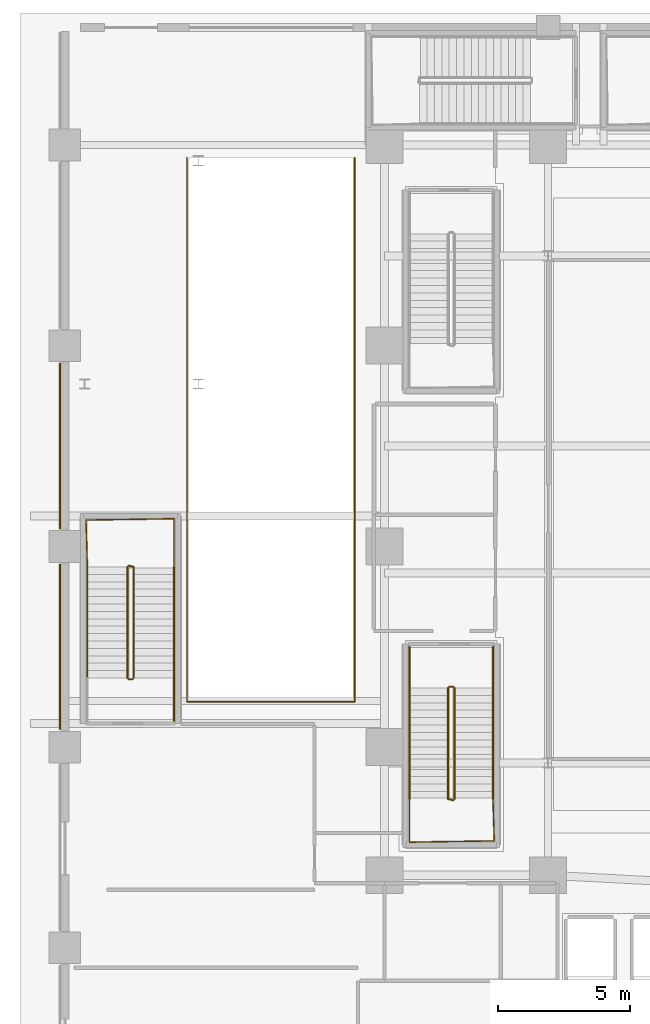
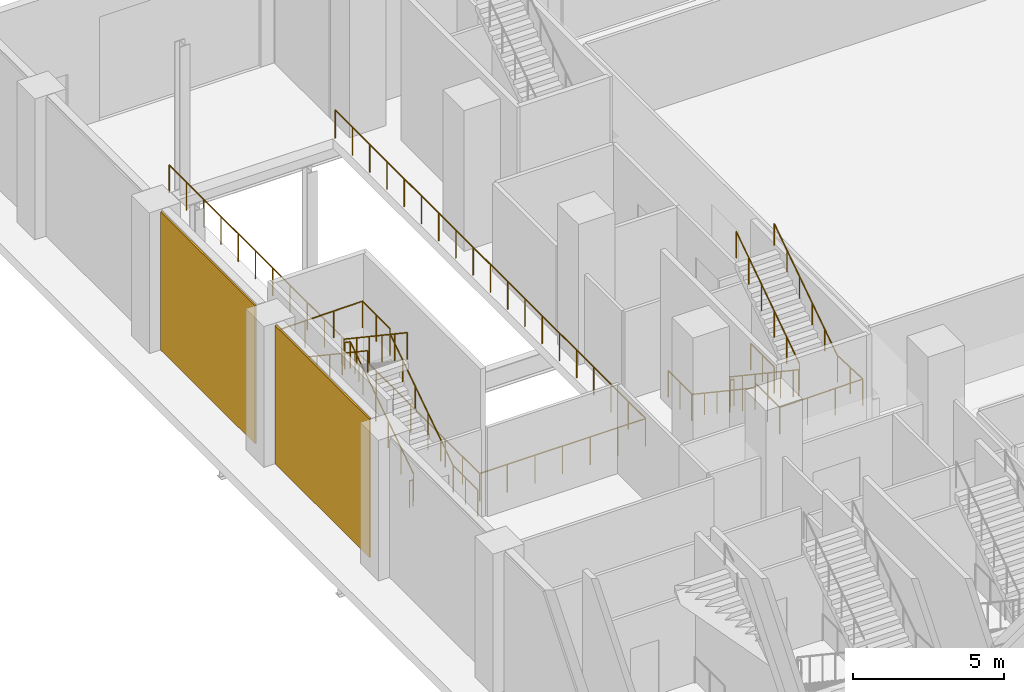
# One storey, part 28 of 36: 16 railings, 2 coverings.
"""IFC4 building model written with IfcOpenShell, lengths in metres."""

from ifc_helpers import new_model, si_unit, direction, frame, origin, origin_2d, place, context, subcontext, project, spatial, rectangle, circle, extrude, material, layer, layer_set, type_object, element, save


model = new_model("IFC4")

# Units and contexts
model_context = context("Model", 3, precision=1e-05, world=origin(), true_north=direction((0.0, 1.0)))
body_context = subcontext(model_context, "Body", "Model", "MODEL_VIEW")
ifc_project = project(units=[si_unit("LENGTHUNIT", "METRE"), si_unit("AREAUNIT", "SQUARE_METRE"), si_unit("VOLUMEUNIT", "CUBIC_METRE"), si_unit("PLANEANGLEUNIT", "RADIAN"), si_unit("MASSUNIT", "GRAM", prefix="KILO")], contexts=[model_context])

# Site, building, storey
site_placement = place(None, origin())
site = spatial("IfcSite", under=ifc_project, at=site_placement, CompositionType="ELEMENT")
building_placement = place(site_placement, origin())
building = spatial("IfcBuilding", under=site, at=building_placement, Name="Ndaravel Arena Tower", CompositionType="ELEMENT")
storey_placement = place(building_placement, origin())
storey = spatial("IfcBuildingStorey", under=building, at=storey_placement, Name="L00", CompositionType="ELEMENT", Elevation=0.0)

# Coverings
ifc_material_1 = material(Name="Masonry", Category="masonry")
ifc_layer_1 = layer(ifc_material_1, 0.06005859375)
ifc_layer_set_1 = layer_set([ifc_layer_1], Name="Masonry")
covering_type = type_object("IfcCoveringType", Name="COV-STONE-CLAD", PredefinedType="CLADDING", material=ifc_layer_set_1)
for number, where, z_axis, x_axis, name in (
    (1, (1.52001953125, 24.0, 0.050048828125), (0.0, 0.0, 1.0), (1.0, 0.0, 0.0), "L00 Honed Mazeras Ashlar Panel W4"),
    (2, (1.52001953125, 31.60009765625, 0.050048828125), (0.0, 0.0, 1.0), (1.0, 0.0, 0.0), "L00 Honed Mazeras Ashlar Panel W5"),
):
    element("IfcCovering", number, at=place(storey_placement, frame(where, z_axis=z_axis, x_axis=x_axis)), inside=storey, type_object=covering_type, Name=name, PredefinedType="CLADDING", context=body_context, shape_type="SweptSolid", body=[
        extrude(rectangle(XDim=0.06005859375, YDim=6.260009765625, at=origin_2d()), origin(), (0.0, 0.0, 1.0), 5.60009765625),
    ])

# Railings
ifc_material_2 = material(Name="Steel S355", Category="steel")
ifc_layer_2 = layer(ifc_material_2, 0.06005859375)
ifc_layer_set_2 = layer_set([ifc_layer_2], Name="Steel S355")
railing_type_1 = type_object("IfcRailingType", Name="RAIL-STAIR-GD1100", PredefinedType="GUARDRAIL", material=ifc_layer_set_2)
railing_1_placement = place(storey_placement, frame((4.31005859375, 22.820068359375, 0.1875)))
element("IfcRailing", 3, at=railing_1_placement, inside=storey, type_object=railing_type_1, Name="L00 ST-A07 stair guard 1", PredefinedType="GUARDRAIL", context=body_context, shape_type="SweptSolid", body=[
    extrude(circle(Radius=0.02392578125, at=origin_2d()), frame((0.0, 0.0, 1.076171875), z_axis=(0.0, 0.830904186295, 0.556415522067), x_axis=(-1.0, 0.0, 0.0)), (0.0, 0.0, 1.0), 5.0546875),
    extrude(circle(Radius=0.02392578125, at=origin_2d()), frame((0.0, 4.199951171875, 3.888671875), z_axis=(-0.966993988697, 0.254799187253, 0.0), x_axis=(-0.254799187253, -0.966993988697, 0.0)), (0.0, 0.0, 1.0), 0.196533203125),
    extrude(circle(Radius=0.02099609375, at=origin_2d()), origin(), (0.0, 0.0, 1.0), 1.052001953125),
    extrude(circle(Radius=0.02099609375, at=origin_2d()), frame((0.0, 0.840087890625, 0.5625)), (0.0, 0.0, 1.0), 1.052001953125),
    extrude(circle(Radius=0.02099609375, at=origin_2d()), frame((0.0, 1.679931640625, 1.125)), (0.0, 0.0, 1.0), 1.052001953125),
    extrude(circle(Radius=0.02099609375, at=origin_2d()), frame((0.0, 2.52001953125, 1.6875)), (0.0, 0.0, 1.0), 1.052001953125),
    extrude(circle(Radius=0.02099609375, at=origin_2d()), frame((0.0, 3.35986328125, 2.25)), (0.0, 0.0, 1.0), 1.052001953125),
    extrude(circle(Radius=0.02099609375, at=origin_2d()), frame((0.0, 4.199951171875, 2.8125)), (0.0, 0.0, 1.0), 1.052001953125),
    extrude(circle(Radius=0.02099609375, at=origin_2d()), frame((-0.18994140625, 4.25, 2.8125)), (0.0, 0.0, 1.0), 1.052001953125),
])
railing_2_placement = place(storey_placement, frame((5.830078125, 27.02001953125, 3.0)))
element("IfcRailing", 4, at=railing_2_placement, inside=storey, type_object=railing_type_1, Name="L00 ST-A07 stair guard 2", PredefinedType="GUARDRAIL", context=body_context, shape_type="SweptSolid", body=[
    extrude(circle(Radius=0.02392578125, at=origin_2d()), frame((0.0, 0.0, 1.076171875), z_axis=(0.0, 1.0, 0.0), x_axis=(-1.0, 0.0, 0.0)), (0.0, 0.0, 1.0), 1.830078125),
    extrude(circle(Radius=0.02392578125, at=origin_2d()), frame((0.0, 1.830078125, 1.076171875), z_axis=(-0.999887078817, -0.015027628384, 0.0), x_axis=(0.015027628384, -0.999887078817, 0.0)), (0.0, 0.0, 1.0), 3.33056640625),
    extrude(circle(Radius=0.02392578125, at=origin_2d()), frame((-3.330078125, 1.780029296875, 1.076171875), z_axis=(0.028105748986, -0.999604955407, 0.0), x_axis=(0.999604955407, 0.028105748986, 0.0)), (0.0, 0.0, 1.0), 1.78076171875),
    extrude(circle(Radius=0.02099609375, at=origin_2d()), origin(), (0.0, 0.0, 1.0), 1.052001953125),
    extrude(circle(Radius=0.02099609375, at=origin_2d()), frame((0.0, 0.9150390625, 0.0)), (0.0, 0.0, 1.0), 1.052001953125),
    extrude(circle(Radius=0.02099609375, at=origin_2d()), frame((0.0, 1.830078125, 0.0)), (0.0, 0.0, 1.0), 1.052001953125),
    extrude(circle(Radius=0.02099609375, at=origin_2d()), frame((-1.110107421875, 1.8134765625, 0.0)), (0.0, 0.0, 1.0), 1.052001953125),
    extrude(circle(Radius=0.02099609375, at=origin_2d()), frame((-2.219970703125, 1.796630859375, 0.0)), (0.0, 0.0, 1.0), 1.052001953125),
    extrude(circle(Radius=0.02099609375, at=origin_2d()), frame((-3.330078125, 1.780029296875, 0.0)), (0.0, 0.0, 1.0), 1.052001953125),
    extrude(circle(Radius=0.02099609375, at=origin_2d()), frame((-3.30517578125, 0.89013671875, 0.0)), (0.0, 0.0, 1.0), 1.052001953125),
    extrude(circle(Radius=0.02099609375, at=origin_2d()), frame((-3.280029296875, 0.0, 0.0)), (0.0, 0.0, 1.0), 1.052001953125),
])
railing_3_placement = place(storey_placement, frame((4.070068359375, 27.02001953125, 3.1875)))
element("IfcRailing", 5, at=railing_3_placement, inside=storey, type_object=railing_type_1, Name="L00 ST-A07 stair guard 3", PredefinedType="GUARDRAIL", context=body_context, shape_type="SweptSolid", body=[
    extrude(circle(Radius=0.02392578125, at=origin_2d()), frame((0.0, 0.0, 1.076171875), z_axis=(0.0, -0.830904186295, 0.556415522067), x_axis=(1.0, 0.0, 0.0)), (0.0, 0.0, 1.0), 5.0546875),
    extrude(circle(Radius=0.02099609375, at=origin_2d()), origin(), (0.0, 0.0, 1.0), 1.052001953125),
    extrude(circle(Radius=0.02099609375, at=origin_2d()), frame((0.0, -0.840087890625, 0.5625)), (0.0, 0.0, 1.0), 1.052001953125),
    extrude(circle(Radius=0.02099609375, at=origin_2d()), frame((0.0, -1.679931640625, 1.125)), (0.0, 0.0, 1.0), 1.052001953125),
    extrude(circle(Radius=0.02099609375, at=origin_2d()), frame((0.0, -2.52001953125, 1.6875)), (0.0, 0.0, 1.0), 1.052001953125),
    extrude(circle(Radius=0.02099609375, at=origin_2d()), frame((0.0, -3.35986328125, 2.25)), (0.0, 0.0, 1.0), 1.052001953125),
    extrude(circle(Radius=0.02099609375, at=origin_2d()), frame((0.0, -4.199951171875, 2.8125)), (0.0, 0.0, 1.0), 1.052001953125),
])
railing_4_placement = place(storey_placement, frame((4.260009765625, 22.77001953125, 0.0)))
element("IfcRailing", 6, at=railing_4_placement, inside=storey, type_object=railing_type_1, Name="L00 ST-A07 stair guard 4", PredefinedType="GUARDRAIL", context=body_context, shape_type="SweptSolid", body=[
    extrude(circle(Radius=0.02392578125, at=origin_2d()), frame((0.0, 0.0, 1.076171875), z_axis=(-1.0, 0.0, 0.0), x_axis=(0.0, -1.0, 0.0)), (0.0, 0.0, 1.0), 0.139892578125),
    extrude(circle(Radius=0.02099609375, at=origin_2d()), origin(), (0.0, 0.0, 1.0), 1.052001953125),
    extrude(circle(Radius=0.02099609375, at=origin_2d()), frame((-0.139892578125, 0.0, 0.0)), (0.0, 0.0, 1.0), 1.052001953125),
])
railing_5_placement = place(storey_placement, frame((5.830078125, 21.199951171875, 0.0)))
element("IfcRailing", 7, at=railing_5_placement, inside=storey, type_object=railing_type_1, Name="L00 ST-A07 stair guard 5", PredefinedType="GUARDRAIL", context=body_context, shape_type="SweptSolid", body=[
    extrude(circle(Radius=0.02392578125, at=origin_2d()), frame((0.0, 0.0, 1.076171875), z_axis=(0.0, 1.0, 0.0), x_axis=(-1.0, 0.0, 0.0)), (0.0, 0.0, 1.0), 1.6201171875),
    extrude(circle(Radius=0.02099609375, at=origin_2d()), origin(), (0.0, 0.0, 1.0), 1.052001953125),
    extrude(circle(Radius=0.02099609375, at=origin_2d()), frame((0.0, 0.81005859375, 0.0)), (0.0, 0.0, 1.0), 1.052001953125),
    extrude(circle(Radius=0.02099609375, at=origin_2d()), frame((0.0, 1.6201171875, 0.0)), (0.0, 0.0, 1.0), 1.052001953125),
])
railing_6_placement = place(storey_placement, frame((16.2099609375, 22.43994140625, 0.1875)))
element("IfcRailing", 8, at=railing_6_placement, inside=storey, type_object=railing_type_1, Name="L00 ST-VOM-1 stair guard 1", PredefinedType="GUARDRAIL", context=body_context, shape_type="SweptSolid", body=[
    extrude(circle(Radius=0.02392578125, at=origin_2d()), frame((0.0, 0.0, 1.076171875), z_axis=(0.0, -0.830904186295, 0.556415522067), x_axis=(1.0, 0.0, 0.0)), (0.0, 0.0, 1.0), 5.0546875),
    extrude(circle(Radius=0.02392578125, at=origin_2d()), frame((0.0, -4.199951171875, 3.888671875), z_axis=(0.966993988697, -0.254799187253, 0.0), x_axis=(0.254799187253, 0.966993988697, 0.0)), (0.0, 0.0, 1.0), 0.196533203125),
    extrude(circle(Radius=0.02099609375, at=origin_2d()), origin(), (0.0, 0.0, 1.0), 1.052001953125),
    extrude(circle(Radius=0.02099609375, at=origin_2d()), frame((0.0, -0.840087890625, 0.5625)), (0.0, 0.0, 1.0), 1.052001953125),
    extrude(circle(Radius=0.02099609375, at=origin_2d()), frame((0.0, -1.679931640625, 1.125)), (0.0, 0.0, 1.0), 1.052001953125),
    extrude(circle(Radius=0.02099609375, at=origin_2d()), frame((0.0, -2.52001953125, 1.6875)), (0.0, 0.0, 1.0), 1.052001953125),
    extrude(circle(Radius=0.02099609375, at=origin_2d()), frame((0.0, -3.35986328125, 2.25)), (0.0, 0.0, 1.0), 1.052001953125),
    extrude(circle(Radius=0.02099609375, at=origin_2d()), frame((0.0, -4.199951171875, 2.8125)), (0.0, 0.0, 1.0), 1.052001953125),
    extrude(circle(Radius=0.02099609375, at=origin_2d()), frame((0.18994140625, -4.25, 2.8125)), (0.0, 0.0, 1.0), 1.052001953125),
])
railing_7_placement = place(storey_placement, frame((14.75, 18.239990234375, 3.0)))
element("IfcRailing", 9, at=railing_7_placement, inside=storey, type_object=railing_type_1, Name="L00 ST-VOM-1 stair guard 2", PredefinedType="GUARDRAIL", context=body_context, shape_type="SweptSolid", body=[
    extrude(circle(Radius=0.02392578125, at=origin_2d()), frame((0.0, 0.0, 1.076171875), z_axis=(0.0, -1.0, 0.0), x_axis=(1.0, 0.0, 0.0)), (0.0, 0.0, 1.0), 1.639892578125),
    extrude(circle(Radius=0.02392578125, at=origin_2d()), frame((0.0, -1.639892578125, 1.076171875), z_axis=(0.999879653755, 0.01551380053, 0.0), x_axis=(-0.01551380053, 0.999879653755, 0.0)), (0.0, 0.0, 1.0), 3.21044921875),
    extrude(circle(Radius=0.02392578125, at=origin_2d()), frame((3.2099609375, -1.590087890625, 1.076171875), z_axis=(-0.031459930577, 0.999505013878, 0.0), x_axis=(-0.999505013878, -0.031459930577, 0.0)), (0.0, 0.0, 1.0), 1.5908203125),
    extrude(circle(Radius=0.02099609375, at=origin_2d()), origin(), (0.0, 0.0, 1.0), 1.052001953125),
    extrude(circle(Radius=0.02099609375, at=origin_2d()), frame((0.0, -0.81982421875, 0.0)), (0.0, 0.0, 1.0), 1.052001953125),
    extrude(circle(Radius=0.02099609375, at=origin_2d()), frame((0.0, -1.639892578125, 0.0)), (0.0, 0.0, 1.0), 1.052001953125),
    extrude(circle(Radius=0.02099609375, at=origin_2d()), frame((1.070068359375, -1.623291015625, 0.0)), (0.0, 0.0, 1.0), 1.052001953125),
    extrude(circle(Radius=0.02099609375, at=origin_2d()), frame((2.139892578125, -1.606689453125, 0.0)), (0.0, 0.0, 1.0), 1.052001953125),
    extrude(circle(Radius=0.02099609375, at=origin_2d()), frame((3.2099609375, -1.590087890625, 0.0)), (0.0, 0.0, 1.0), 1.052001953125),
    extrude(circle(Radius=0.02099609375, at=origin_2d()), frame((3.18505859375, -0.794921875, 0.0)), (0.0, 0.0, 1.0), 1.052001953125),
    extrude(circle(Radius=0.02099609375, at=origin_2d()), frame((3.159912109375, 0.0, 0.0)), (0.0, 0.0, 1.0), 1.052001953125),
])
railing_8_placement = place(storey_placement, frame((16.449951171875, 18.239990234375, 3.1875)))
element("IfcRailing", 10, at=railing_8_placement, inside=storey, type_object=railing_type_1, Name="L00 ST-VOM-1 stair guard 3", PredefinedType="GUARDRAIL", context=body_context, shape_type="SweptSolid", body=[
    extrude(circle(Radius=0.02392578125, at=origin_2d()), frame((0.0, 0.0, 1.076171875), z_axis=(0.0, 0.830904186295, 0.556415522067), x_axis=(-1.0, 0.0, 0.0)), (0.0, 0.0, 1.0), 5.0546875),
    extrude(circle(Radius=0.02099609375, at=origin_2d()), origin(), (0.0, 0.0, 1.0), 1.052001953125),
    extrude(circle(Radius=0.02099609375, at=origin_2d()), frame((0.0, 0.840087890625, 0.5625)), (0.0, 0.0, 1.0), 1.052001953125),
    extrude(circle(Radius=0.02099609375, at=origin_2d()), frame((0.0, 1.679931640625, 1.125)), (0.0, 0.0, 1.0), 1.052001953125),
    extrude(circle(Radius=0.02099609375, at=origin_2d()), frame((0.0, 2.52001953125, 1.6875)), (0.0, 0.0, 1.0), 1.052001953125),
    extrude(circle(Radius=0.02099609375, at=origin_2d()), frame((0.0, 3.35986328125, 2.25)), (0.0, 0.0, 1.0), 1.052001953125),
    extrude(circle(Radius=0.02099609375, at=origin_2d()), frame((0.0, 4.199951171875, 2.8125)), (0.0, 0.0, 1.0), 1.052001953125),
])
railing_9_placement = place(storey_placement, frame((16.260009765625, 22.489990234375, 0.0)))
element("IfcRailing", 11, at=railing_9_placement, inside=storey, type_object=railing_type_1, Name="L00 ST-VOM-1 stair guard 4", PredefinedType="GUARDRAIL", context=body_context, shape_type="SweptSolid", body=[
    extrude(circle(Radius=0.02392578125, at=origin_2d()), frame((0.0, 0.0, 1.076171875), z_axis=(1.0, 0.0, 0.0), x_axis=(0.0, 1.0, 0.0)), (0.0, 0.0, 1.0), 0.139892578125),
    extrude(circle(Radius=0.02099609375, at=origin_2d()), origin(), (0.0, 0.0, 1.0), 1.052001953125),
    extrude(circle(Radius=0.02099609375, at=origin_2d()), frame((0.139892578125, 0.0, 0.0)), (0.0, 0.0, 1.0), 1.052001953125),
])
for number, where, name in (
    (12, (14.75, 24.0, 0.0), "L00 ST-VOM-1 stair guard 5"),
    (13, (17.909912109375, 24.0, 0.0), "L00 ST-VOM-1 stair guard 6"),
):
    element("IfcRailing", number, at=place(storey_placement, frame(where)), inside=storey, type_object=railing_type_1, Name=name, PredefinedType="GUARDRAIL", context=body_context, shape_type="SweptSolid", body=[
        extrude(circle(Radius=0.02392578125, at=origin_2d()), frame((0.0, 0.0, 1.076171875), z_axis=(0.0, -1.0, 0.0), x_axis=(1.0, 0.0, 0.0)), (0.0, 0.0, 1.0), 1.56005859375),
        extrude(circle(Radius=0.02099609375, at=origin_2d()), origin(), (0.0, 0.0, 1.0), 1.052001953125),
        extrude(circle(Radius=0.02099609375, at=origin_2d()), frame((0.0, -0.780029296875, 0.0)), (0.0, 0.0, 1.0), 1.052001953125),
        extrude(circle(Radius=0.02099609375, at=origin_2d()), frame((0.0, -1.56005859375, 0.0)), (0.0, 0.0, 1.0), 1.052001953125),
    ])
ifc_material_3 = material(Name="Steel S355", Category="steel")
ifc_layer_3 = layer(ifc_material_3, 0.050048828125)
ifc_layer_set_3 = layer_set([ifc_layer_3], Name="Steel S355")
railing_type_2 = type_object("IfcRailingType", Name="RAIL-STAIR-HR920", PredefinedType="HANDRAIL", material=ifc_layer_set_3)
railing_10_placement = place(storey_placement, frame((5.830078125, 22.820068359375, 0.1875)))
element("IfcRailing", 14, at=railing_10_placement, inside=storey, type_object=railing_type_2, Name="L00 ST-A07 stair handrail 1", PredefinedType="HANDRAIL", context=body_context, shape_type="SweptSolid", body=[
    extrude(circle(Radius=0.02392578125, at=origin_2d()), frame((0.0, 0.0, 0.8759765625), z_axis=(0.0, 0.830904186295, 0.556415522067), x_axis=(-1.0, 0.0, 0.0)), (0.0, 0.0, 1.0), 5.0546875),
    extrude(circle(Radius=0.02099609375, at=origin_2d()), origin(), (0.0, 0.0, 1.0), 0.851806640625),
    extrude(circle(Radius=0.02099609375, at=origin_2d()), frame((0.0, 0.840087890625, 0.5625)), (0.0, 0.0, 1.0), 0.851806640625),
    extrude(circle(Radius=0.02099609375, at=origin_2d()), frame((0.0, 1.679931640625, 1.125)), (0.0, 0.0, 1.0), 0.851806640625),
    extrude(circle(Radius=0.02099609375, at=origin_2d()), frame((0.0, 2.52001953125, 1.6875)), (0.0, 0.0, 1.0), 0.851806640625),
    extrude(circle(Radius=0.02099609375, at=origin_2d()), frame((0.0, 3.35986328125, 2.25)), (0.0, 0.0, 1.0), 0.851806640625),
    extrude(circle(Radius=0.02099609375, at=origin_2d()), frame((0.0, 4.199951171875, 2.8125)), (0.0, 0.0, 1.0), 0.851806640625),
])
for number, where, name in (
    (15, (2.550048828125, 27.02001953125, 3.1875), "L00 ST-A07 stair handrail 2"),
    (16, (14.75, 22.43994140625, 0.1875), "L00 ST-VOM-1 stair handrail 1"),
):
    element("IfcRailing", number, at=place(storey_placement, frame(where)), inside=storey, type_object=railing_type_2, Name=name, PredefinedType="HANDRAIL", context=body_context, shape_type="SweptSolid", body=[
        extrude(circle(Radius=0.02392578125, at=origin_2d()), frame((0.0, 0.0, 0.8759765625), z_axis=(0.0, -0.830904186295, 0.556415522067), x_axis=(1.0, 0.0, 0.0)), (0.0, 0.0, 1.0), 5.0546875),
        extrude(circle(Radius=0.02099609375, at=origin_2d()), origin(), (0.0, 0.0, 1.0), 0.851806640625),
        extrude(circle(Radius=0.02099609375, at=origin_2d()), frame((0.0, -0.840087890625, 0.5625)), (0.0, 0.0, 1.0), 0.851806640625),
        extrude(circle(Radius=0.02099609375, at=origin_2d()), frame((0.0, -1.679931640625, 1.125)), (0.0, 0.0, 1.0), 0.851806640625),
        extrude(circle(Radius=0.02099609375, at=origin_2d()), frame((0.0, -2.52001953125, 1.6875)), (0.0, 0.0, 1.0), 0.851806640625),
        extrude(circle(Radius=0.02099609375, at=origin_2d()), frame((0.0, -3.35986328125, 2.25)), (0.0, 0.0, 1.0), 0.851806640625),
        extrude(circle(Radius=0.02099609375, at=origin_2d()), frame((0.0, -4.199951171875, 2.8125)), (0.0, 0.0, 1.0), 0.851806640625),
    ])
railing_11_placement = place(storey_placement, frame((17.909912109375, 18.239990234375, 3.1875)))
element("IfcRailing", 17, at=railing_11_placement, inside=storey, type_object=railing_type_2, Name="L00 ST-VOM-1 stair handrail 2", PredefinedType="HANDRAIL", context=body_context, shape_type="SweptSolid", body=[
    extrude(circle(Radius=0.02392578125, at=origin_2d()), frame((0.0, 0.0, 0.8759765625), z_axis=(0.0, 0.830904186295, 0.556415522067), x_axis=(-1.0, 0.0, 0.0)), (0.0, 0.0, 1.0), 5.0546875),
    extrude(circle(Radius=0.02099609375, at=origin_2d()), origin(), (0.0, 0.0, 1.0), 0.851806640625),
    extrude(circle(Radius=0.02099609375, at=origin_2d()), frame((0.0, 0.840087890625, 0.5625)), (0.0, 0.0, 1.0), 0.851806640625),
    extrude(circle(Radius=0.02099609375, at=origin_2d()), frame((0.0, 1.679931640625, 1.125)), (0.0, 0.0, 1.0), 0.851806640625),
    extrude(circle(Radius=0.02099609375, at=origin_2d()), frame((0.0, 2.52001953125, 1.6875)), (0.0, 0.0, 1.0), 0.851806640625),
    extrude(circle(Radius=0.02099609375, at=origin_2d()), frame((0.0, 3.35986328125, 2.25)), (0.0, 0.0, 1.0), 0.851806640625),
    extrude(circle(Radius=0.02099609375, at=origin_2d()), frame((0.0, 4.199951171875, 2.8125)), (0.0, 0.0, 1.0), 0.851806640625),
])
ifc_material_4 = material(Name="Glazing", Category="glass")
ifc_layer_4 = layer(ifc_material_4, 0.070068359375)
ifc_layer_set_4 = layer_set([ifc_layer_4], Name="Glazing")
railing_type_3 = type_object("IfcRailingType", Name="RAIL-TERRACE-1150", PredefinedType="BALUSTRADE", material=ifc_layer_set_4)
railing_12_placement = place(storey_placement, frame((6.320068359375, 42.52001953125, 0.0)))
element("IfcRailing", 18, at=railing_12_placement, inside=storey, type_object=railing_type_3, Name="L00 Car Ramp Well 3-Sided Guard", PredefinedType="BALUSTRADE", context=body_context, shape_type="SweptSolid", body=[
    extrude(circle(Radius=0.02392578125, at=origin_2d()), frame((0.0, 0.0, 1.1259765625), z_axis=(0.0, -1.0, 0.0), x_axis=(1.0, 0.0, 0.0)), (0.0, 0.0, 1.0), 20.60009765625),
    extrude(circle(Radius=0.02392578125, at=origin_2d()), frame((0.0, -20.60009765625, 1.1259765625), z_axis=(1.0, 0.0, 0.0), x_axis=(0.0, 1.0, 0.0)), (0.0, 0.0, 1.0), 6.35986328125),
    extrude(circle(Radius=0.02392578125, at=origin_2d()), frame((6.35986328125, -20.60009765625, 1.1259765625), z_axis=(0.0, 1.0, 0.0), x_axis=(-1.0, 0.0, 0.0)), (0.0, 0.0, 1.0), 20.60009765625),
    extrude(circle(Radius=0.02099609375, at=origin_2d()), origin(), (0.0, 0.0, 1.0), 1.101806640625),
    extrude(circle(Radius=0.02099609375, at=origin_2d()), frame((0.0, -1.14453125, 0.0)), (0.0, 0.0, 1.0), 1.101806640625),
    extrude(circle(Radius=0.02099609375, at=origin_2d()), frame((0.0, -2.288818359375, 0.0)), (0.0, 0.0, 1.0), 1.101806640625),
    extrude(circle(Radius=0.02099609375, at=origin_2d()), frame((0.0, -3.433349609375, 0.0)), (0.0, 0.0, 1.0), 1.101806640625),
    extrude(circle(Radius=0.02099609375, at=origin_2d()), frame((0.0, -4.577880859375, 0.0)), (0.0, 0.0, 1.0), 1.101806640625),
    extrude(circle(Radius=0.02099609375, at=origin_2d()), frame((0.0, -5.72216796875, 0.0)), (0.0, 0.0, 1.0), 1.101806640625),
    extrude(circle(Radius=0.02099609375, at=origin_2d()), frame((0.0, -6.86669921875, 0.0)), (0.0, 0.0, 1.0), 1.101806640625),
    extrude(circle(Radius=0.02099609375, at=origin_2d()), frame((0.0, -8.01123046875, 0.0)), (0.0, 0.0, 1.0), 1.101806640625),
    extrude(circle(Radius=0.02099609375, at=origin_2d()), frame((0.0, -9.155517578125, 0.0)), (0.0, 0.0, 1.0), 1.101806640625),
    extrude(circle(Radius=0.02099609375, at=origin_2d()), frame((0.0, -10.300048828125, 0.0)), (0.0, 0.0, 1.0), 1.101806640625),
    extrude(circle(Radius=0.02099609375, at=origin_2d()), frame((0.0, -11.444580078125, 0.0)), (0.0, 0.0, 1.0), 1.101806640625),
    extrude(circle(Radius=0.02099609375, at=origin_2d()), frame((0.0, -12.5888671875, 0.0)), (0.0, 0.0, 1.0), 1.101806640625),
    extrude(circle(Radius=0.02099609375, at=origin_2d()), frame((0.0, -13.7333984375, 0.0)), (0.0, 0.0, 1.0), 1.101806640625),
    extrude(circle(Radius=0.02099609375, at=origin_2d()), frame((0.0, -14.8779296875, 0.0)), (0.0, 0.0, 1.0), 1.101806640625),
    extrude(circle(Radius=0.02099609375, at=origin_2d()), frame((0.0, -16.022216796875, 0.0)), (0.0, 0.0, 1.0), 1.101806640625),
    extrude(circle(Radius=0.02099609375, at=origin_2d()), frame((0.0, -17.166748046875, 0.0)), (0.0, 0.0, 1.0), 1.101806640625),
    extrude(circle(Radius=0.02099609375, at=origin_2d()), frame((0.0, -18.311279296875, 0.0)), (0.0, 0.0, 1.0), 1.101806640625),
    extrude(circle(Radius=0.02099609375, at=origin_2d()), frame((0.0, -19.45556640625, 0.0)), (0.0, 0.0, 1.0), 1.101806640625),
    extrude(circle(Radius=0.02099609375, at=origin_2d()), frame((0.0, -20.60009765625, 0.0)), (0.0, 0.0, 1.0), 1.101806640625),
    extrude(circle(Radius=0.02099609375, at=origin_2d()), frame((1.06005859375, -20.60009765625, 0.0)), (0.0, 0.0, 1.0), 1.101806640625),
    extrude(circle(Radius=0.02099609375, at=origin_2d()), frame((2.119873046875, -20.60009765625, 0.0)), (0.0, 0.0, 1.0), 1.101806640625),
    extrude(circle(Radius=0.02099609375, at=origin_2d()), frame((3.179931640625, -20.60009765625, 0.0)), (0.0, 0.0, 1.0), 1.101806640625),
    extrude(circle(Radius=0.02099609375, at=origin_2d()), frame((4.239990234375, -20.60009765625, 0.0)), (0.0, 0.0, 1.0), 1.101806640625),
    extrude(circle(Radius=0.02099609375, at=origin_2d()), frame((5.2998046875, -20.60009765625, 0.0)), (0.0, 0.0, 1.0), 1.101806640625),
    extrude(circle(Radius=0.02099609375, at=origin_2d()), frame((6.35986328125, -20.60009765625, 0.0)), (0.0, 0.0, 1.0), 1.101806640625),
    extrude(circle(Radius=0.02099609375, at=origin_2d()), frame((6.35986328125, -19.45556640625, 0.0)), (0.0, 0.0, 1.0), 1.101806640625),
    extrude(circle(Radius=0.02099609375, at=origin_2d()), frame((6.35986328125, -18.311279296875, 0.0)), (0.0, 0.0, 1.0), 1.101806640625),
    extrude(circle(Radius=0.02099609375, at=origin_2d()), frame((6.35986328125, -17.166748046875, 0.0)), (0.0, 0.0, 1.0), 1.101806640625),
    extrude(circle(Radius=0.02099609375, at=origin_2d()), frame((6.35986328125, -16.022216796875, 0.0)), (0.0, 0.0, 1.0), 1.101806640625),
    extrude(circle(Radius=0.02099609375, at=origin_2d()), frame((6.35986328125, -14.8779296875, 0.0)), (0.0, 0.0, 1.0), 1.101806640625),
    extrude(circle(Radius=0.02099609375, at=origin_2d()), frame((6.35986328125, -13.7333984375, 0.0)), (0.0, 0.0, 1.0), 1.101806640625),
    extrude(circle(Radius=0.02099609375, at=origin_2d()), frame((6.35986328125, -12.5888671875, 0.0)), (0.0, 0.0, 1.0), 1.101806640625),
    extrude(circle(Radius=0.02099609375, at=origin_2d()), frame((6.35986328125, -11.444580078125, 0.0)), (0.0, 0.0, 1.0), 1.101806640625),
    extrude(circle(Radius=0.02099609375, at=origin_2d()), frame((6.35986328125, -10.300048828125, 0.0)), (0.0, 0.0, 1.0), 1.101806640625),
    extrude(circle(Radius=0.02099609375, at=origin_2d()), frame((6.35986328125, -9.155517578125, 0.0)), (0.0, 0.0, 1.0), 1.101806640625),
    extrude(circle(Radius=0.02099609375, at=origin_2d()), frame((6.35986328125, -8.01123046875, 0.0)), (0.0, 0.0, 1.0), 1.101806640625),
    extrude(circle(Radius=0.02099609375, at=origin_2d()), frame((6.35986328125, -6.86669921875, 0.0)), (0.0, 0.0, 1.0), 1.101806640625),
    extrude(circle(Radius=0.02099609375, at=origin_2d()), frame((6.35986328125, -5.72216796875, 0.0)), (0.0, 0.0, 1.0), 1.101806640625),
    extrude(circle(Radius=0.02099609375, at=origin_2d()), frame((6.35986328125, -4.577880859375, 0.0)), (0.0, 0.0, 1.0), 1.101806640625),
    extrude(circle(Radius=0.02099609375, at=origin_2d()), frame((6.35986328125, -3.433349609375, 0.0)), (0.0, 0.0, 1.0), 1.101806640625),
    extrude(circle(Radius=0.02099609375, at=origin_2d()), frame((6.35986328125, -2.288818359375, 0.0)), (0.0, 0.0, 1.0), 1.101806640625),
    extrude(circle(Radius=0.02099609375, at=origin_2d()), frame((6.35986328125, -1.14453125, 0.0)), (0.0, 0.0, 1.0), 1.101806640625),
    extrude(circle(Radius=0.02099609375, at=origin_2d()), frame((6.35986328125, 0.0, 0.0)), (0.0, 0.0, 1.0), 1.101806640625),
])

save(model, "model.ifc")
